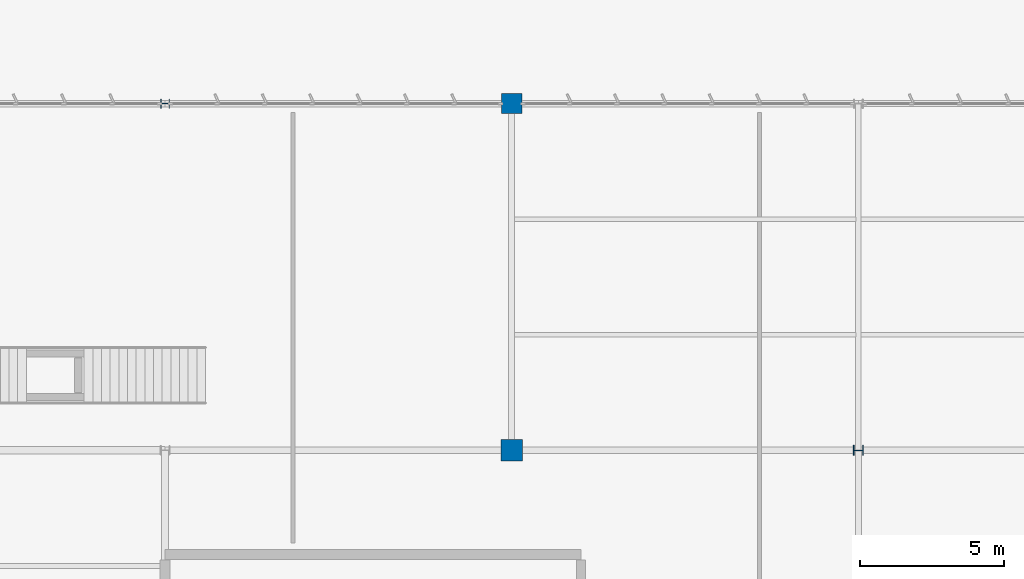
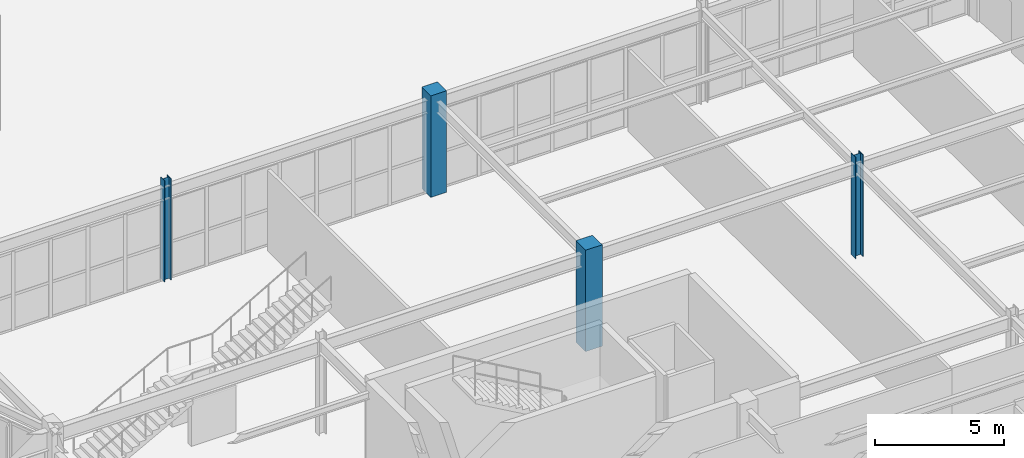
# One storey, part 46 of 199: 4 columns.
"""IFC4 building model written with IfcOpenShell, lengths in metres."""

from ifc_helpers import new_model, si_unit, direction, frame, origin, origin_2d, place, context, subcontext, project, spatial, rectangle, i_section, extrude, material, material_profile, profile_set, type_object, element, save


model = new_model("IFC4")

# Units and contexts
model_context = context("Model", 3, precision=1e-05, world=origin(), true_north=direction((0.0, 1.0)))
body_context = subcontext(model_context, "Body", "Model", "MODEL_VIEW")
ifc_project = project(units=[si_unit("LENGTHUNIT", "METRE"), si_unit("AREAUNIT", "SQUARE_METRE"), si_unit("VOLUMEUNIT", "CUBIC_METRE"), si_unit("PLANEANGLEUNIT", "RADIAN"), si_unit("MASSUNIT", "GRAM", prefix="KILO")], contexts=[model_context])

# Site, building, storey
site_placement = place(None, origin())
site = spatial("IfcSite", under=ifc_project, at=site_placement, CompositionType="ELEMENT")
building_placement = place(site_placement, origin())
building = spatial("IfcBuilding", under=site, at=building_placement, Name="Tarnwether General Hospital", CompositionType="ELEMENT")
storey_placement = place(building_placement, origin())
storey = spatial("IfcBuildingStorey", under=building, at=storey_placement, Name="L00", CompositionType="ELEMENT", Elevation=0.0)

# Columns
ifc_material_1 = material(Name="Steel Grade 350 (350 MPa)", Category="steel")
ifc_material_profile_1 = material_profile(ifc_material_1, i_section(OverallWidth=0.35009765625, OverallDepth=0.35009765625, WebThickness=0.013916015625, FlangeThickness=0.02392578125, at=origin_2d()), Name="350WC197")
ifc_profile_set_1 = profile_set([ifc_material_profile_1], Name="Steel Grade 350 (350 MPa)")
column_type_1 = type_object("IfcColumnType", Name="COL-04", PredefinedType="COLUMN", material=ifc_profile_set_1)
column_1_placement = place(storey_placement, frame((180.0, 33.60009765625, 0.0), z_axis=(0.0, 0.0, 1.0), x_axis=(0.0, 1.0, 0.0)))
element("IfcColumn", 1, at=column_1_placement, inside=storey, type_object=column_type_1, Name="Column COLG-L00-18000_3360", PredefinedType="COLUMN", context=body_context, shape_type="SweptSolid", body=[
    extrude(i_section(OverallWidth=0.35009765625, OverallDepth=0.35009765625, WebThickness=0.013916015625, FlangeThickness=0.02392578125, at=origin_2d()), origin(), (0.0, 0.0, 1.0), 4.800048828125),
])
ifc_material_2 = material(Name="Steel Grade 350 (350 MPa)", Category="steel")
ifc_material_profile_2 = material_profile(ifc_material_2, i_section(OverallWidth=0.304931640625, OverallDepth=0.30810546875, WebThickness=0.010009765625, FlangeThickness=0.015380859375, at=origin_2d()), Name="310UC96.8")
ifc_profile_set_2 = profile_set([ifc_material_profile_2], Name="Steel Grade 350 (350 MPa)")
column_type_2 = type_object("IfcColumnType", Name="COL-08", PredefinedType="COLUMN", material=ifc_profile_set_2)
column_2_placement = place(storey_placement, frame((156.0, 45.60009765625, 0.0), z_axis=(0.0, 0.0, 1.0), x_axis=(0.0, 1.0, 0.0)))
element("IfcColumn", 2, at=column_2_placement, inside=storey, type_object=column_type_2, Name="Column COLG-L00-15600_4560", PredefinedType="COLUMN", context=body_context, shape_type="SweptSolid", body=[
    extrude(i_section(OverallWidth=0.304931640625, OverallDepth=0.30810546875, WebThickness=0.010009765625, FlangeThickness=0.015380859375, at=origin_2d()), origin(), (0.0, 0.0, 1.0), 4.800048828125),
])
ifc_material_3 = material(Name="Concrete 50 MPa", Category="concrete")
ifc_material_profile_3 = material_profile(ifc_material_3, rectangle(XDim=0.75, YDim=0.75, at=origin_2d()), Name="RC-COL-750x750")
ifc_profile_set_3 = profile_set([ifc_material_profile_3], Name="Concrete 50 MPa")
column_type_3 = type_object("IfcColumnType", Name="COL-17", PredefinedType="COLUMN", material=ifc_profile_set_3)
column_3_placement = place(storey_placement, frame((168.0, 33.60009765625, 0.0), z_axis=(0.0, 0.0, 1.0), x_axis=(1.0, 0.0, 0.0)))
element("IfcColumn", 3, at=column_3_placement, inside=storey, type_object=column_type_3, Name="Column COLG-L00-16800_3360", PredefinedType="COLUMN", context=body_context, shape_type="SweptSolid", body=[
    extrude(rectangle(XDim=0.75, YDim=0.75, at=origin_2d()), origin(), (0.0, 0.0, 1.0), 4.800048828125),
])
ifc_material_4 = material(Name="Concrete 50 MPa", Category="concrete")
ifc_material_profile_4 = material_profile(ifc_material_4, rectangle(XDim=0.699951171875, YDim=0.699951171875, at=origin_2d()), Name="RC-COL-700x700")
ifc_profile_set_4 = profile_set([ifc_material_profile_4], Name="Concrete 50 MPa")
column_type_4 = type_object("IfcColumnType", Name="COL-18", PredefinedType="COLUMN", material=ifc_profile_set_4)
column_4_placement = place(storey_placement, frame((168.0, 45.60009765625, 0.0), z_axis=(0.0, 0.0, 1.0), x_axis=(1.0, 0.0, 0.0)))
element("IfcColumn", 4, at=column_4_placement, inside=storey, type_object=column_type_4, Name="Column COLG-L00-16800_4560", PredefinedType="COLUMN", context=body_context, shape_type="SweptSolid", body=[
    extrude(rectangle(XDim=0.699951171875, YDim=0.699951171875, at=origin_2d()), origin(), (0.0, 0.0, 1.0), 4.800048828125),
])

save(model, "model.ifc")
